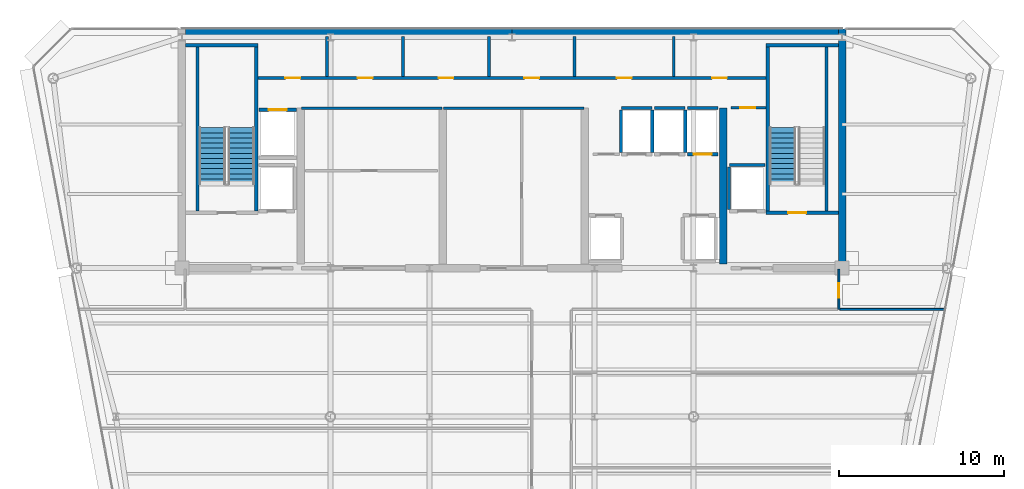
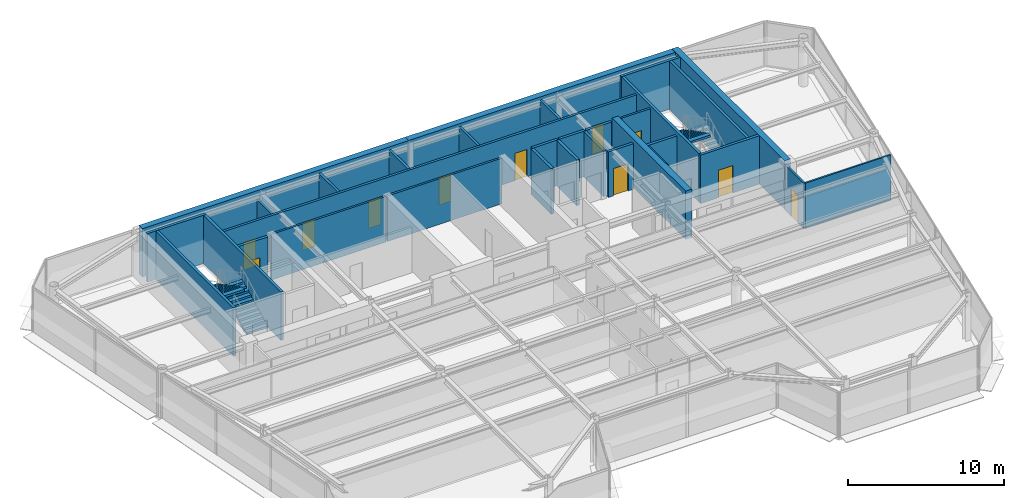
# One storey, part 12 of 20: 32 walls, 11 doors, 3 stair flights, 11 openings, 2 elements without a shape of their own.
"""IFC4 building model written with IfcOpenShell, lengths in metres."""

from ifc_helpers import new_model, si_unit, direction, frame, frame_2d, origin, place, context, subcontext, project, spatial, polyline, rectangle, outline, extrude, source, transform, mapped, material, layer, layer_set, type_object, element, fill, aggregate, save


model = new_model("IFC4")

# Units and contexts
model_context = context("Model", 3, precision=1e-05, world=origin(), true_north=direction((0.0, 1.0)))
body_context = subcontext(model_context, "Body", "Model", "MODEL_VIEW")
ifc_project = project(units=[si_unit("LENGTHUNIT", "METRE"), si_unit("AREAUNIT", "SQUARE_METRE"), si_unit("VOLUMEUNIT", "CUBIC_METRE"), si_unit("PLANEANGLEUNIT", "RADIAN"), si_unit("MASSUNIT", "GRAM", prefix="KILO")], contexts=[model_context])

# Site, building, storey
site_placement = place(None, origin())
site = spatial("IfcSite", under=ifc_project, at=site_placement, CompositionType="ELEMENT")
building_placement = place(site_placement, origin())
building = spatial("IfcBuilding", under=site, at=building_placement, Name="Vaeldorn Concourse Tower", CompositionType="ELEMENT")
storey_placement = place(building_placement, frame((0.0, 0.0, 280.199951171875)))
storey = spatial("IfcBuildingStorey", under=building, at=storey_placement, Name="L72", CompositionType="ELEMENT", Elevation=280.199951171875)

# Walls
ifc_material_1 = material(Name="Concrete C50/60", Category="concrete")
ifc_layer_1 = layer(ifc_material_1, 0.449951171875)
ifc_layer_set_1 = layer_set([ifc_layer_1], Name="Concrete C50/60")
wall_type_1 = type_object("IfcWallType", Name="WL-CORE-450", PredefinedType="SHEAR", material=ifc_layer_set_1)
for number, where, z_axis, x_axis, name in (
    (1, (14.22900390625, 50.77490234375, 0.0), (0.0, 0.0, 1.0), (1.0, 0.0, 0.0), "Rear Core Shear Wall L72 N1"),
    (2, (34.001953125, 50.77490234375, 0.0), (0.0, 0.0, 1.0), (1.0, 0.0, 0.0), "Rear Core Shear Wall L72 N2"),
):
    element("IfcWall", number, at=place(storey_placement, frame(where, z_axis=z_axis, x_axis=x_axis)), inside=storey, type_object=wall_type_1, Name=name, PredefinedType="SHEAR", context=body_context, shape_type="SweptSolid", body=[
        extrude(rectangle(XDim=19.76904296875, YDim=0.449951171875, at=frame_2d((9.884521484375, 0.0))), origin(), (0.0, 0.0, 1.0), 3.800048828125),
    ])
wall_1_placement = place(storey_placement, frame((54.0, 36.5, 0.0), z_axis=(0.0, 0.0, 1.0), x_axis=(0.0, 1.0, 0.0)))
element("IfcWall", 3, at=wall_1_placement, inside=storey, type_object=wall_type_1, Name="Rear Core Shear Wall L72 E1", PredefinedType="SHEAR", context=body_context, shape_type="SweptSolid", body=[
    extrude(rectangle(XDim=14.5, YDim=0.449951171875, at=frame_2d((7.25, 0.0))), origin(), (0.0, 0.0, 1.0), 3.800048828125),
])
wall_2_placement = place(storey_placement, frame((46.800048828125, 36.7451171875, 0.0), z_axis=(0.0, 0.0, 1.0), x_axis=(0.0, 1.0, 0.0)))
element("IfcWall", 4, at=wall_2_placement, inside=storey, type_object=wall_type_1, Name="Rear Core Shear Wall L72 M4", PredefinedType="SHEAR", context=body_context, shape_type="SweptSolid", body=[
    extrude(rectangle(XDim=9.454833984375, YDim=0.449951171875, at=frame_2d((4.7275390625, 0.0))), origin(), (0.0, 0.0, 1.0), 3.800048828125),
])

# Wall, opening, door
ifc_material_2 = material(Name="Gypsum Board Partition", Category="gypsum")
ifc_layer_2 = layer(ifc_material_2, 0.1201171875)
ifc_layer_set_2 = layer_set([ifc_layer_2], Name="Gypsum Board Partition")
wall_type_2 = type_object("IfcWallType", Name="WL-PART-120", PredefinedType="PARTITIONING", material=ifc_layer_set_2)
wall_3_placement = place(storey_placement, frame((53.800048828125, 34.0, 0.0), z_axis=(0.0, 0.0, 1.0), x_axis=(0.0, 1.0, 0.0)))
wall_3 = element("IfcWall", 5, at=wall_3_placement, inside=storey, type_object=wall_type_2, Name="Interior Wall PW-L72-C3E", PredefinedType="PARTITIONING", context=body_context, shape_type="SweptSolid", body=[
    extrude(rectangle(XDim=2.43994140625, YDim=0.1201171875, at=frame_2d((1.219970703125, 0.0))), origin(), (0.0, 0.0, 1.0), 3.580078125),
])
opening_1_placement = place(wall_3_placement, frame((0.699951171875, 0.0, 0.0)))
opening_1 = element("IfcOpeningElement", 6, at=opening_1_placement, cuts=wall_3, Name="Opening D-03", PredefinedType="OPENING", context=body_context, shape_type="SweptSolid", body=[
    extrude(rectangle(XDim=0.89990234375, YDim=2.14990234375, at=frame_2d((0.449951171875, 1.074951171875))), frame((0.0, 0.070068359375, 0.0), z_axis=(0.0, -1.0, 0.0), x_axis=(1.0, 0.0, 0.0)), (0.0, 0.0, 1.0), 0.14013671875),
])
ifc_material_3 = material(Name="Acoustic Bronze-Framed Glass Door", Category="glass")
door_type_1 = type_object("IfcDoorType", Name="DR-INT-900", OperationType="NOTDEFINED", PredefinedType="DOOR", material=ifc_material_3)
shared_shape_1 = source(origin(), body_context, "Body", "SweptSolid", [
    extrude(rectangle(XDim=0.89990234375, YDim=2.14990234375, at=frame_2d((0.449951171875, 1.074951171875))), frame((0.0, 0.02490234375, 0.0), z_axis=(0.0, -1.0, 0.0), x_axis=(1.0, 0.0, 0.0)), (0.0, 0.0, 1.0), 0.050048828125),
])
door_1_placement = place(opening_1_placement, origin())
door_1 = element("IfcDoor", 7, at=door_1_placement, inside=storey, type_object=door_type_1, Name="Interior Door DR-L72-Z3NE", OperationType="SINGLE_SWING_RIGHT", OverallHeight=2.14990234375, OverallWidth=0.89990234375, PredefinedType="DOOR", context=body_context, shape_type="MappedRepresentation", body=[
    mapped(shared_shape_1, transform((0.0, 0.0, 0.0), scale=1.0)),
])
fill(opening_1, door_1)

# Walls
wall_4_placement = place(storey_placement, frame((53.860107421875, 34.0, 0.0), z_axis=(0.0, 0.0, 1.0), x_axis=(1.0, 0.0, 0.0)))
element("IfcWall", 8, at=wall_4_placement, inside=storey, type_object=wall_type_2, Name="Interior Wall PW-L72-Z3NEB", PredefinedType="PARTITIONING", context=body_context, shape_type="SweptSolid", body=[
    extrude(rectangle(XDim=6.34423828125, YDim=0.1201171875, at=frame_2d((3.172119140625, 0.0))), origin(), (0.0, 0.0, 1.0), 3.580078125),
])
ifc_layer_3 = layer(ifc_material_2, 0.14990234375)
ifc_layer_set_3 = layer_set([ifc_layer_3], Name="Gypsum Board Partition")
wall_type_3 = type_object("IfcWallType", Name="WL-PART-150", PredefinedType="PARTITIONING", material=ifc_layer_set_3)
for number, where, z_axis, x_axis, name in (
    (9, (21.25, 46.199951171875, 0.0), (0.0, 0.0, 1.0), (1.0, 0.0, 0.0), "Interior Wall CW-L72-R1N"),
    (10, (29.85009765625, 46.199951171875, 0.0), (0.0, 0.0, 1.0), (1.0, 0.0, 0.0), "Interior Wall CW-L72-R2N"),
):
    element("IfcWall", number, at=place(storey_placement, frame(where, z_axis=z_axis, x_axis=x_axis)), inside=storey, type_object=wall_type_3, Name=name, PredefinedType="PARTITIONING", context=body_context, shape_type="SweptSolid", body=[
        extrude(rectangle(XDim=8.5, YDim=0.14990234375, at=frame_2d((4.25, 0.0))), origin(), (0.0, 0.0, 1.0), 3.580078125),
    ])

# Wall, opening, door
wall_5_placement = place(storey_placement, frame((47.280029296875, 46.219970703125, 0.0), z_axis=(0.0, 0.0, 1.0), x_axis=(1.0, 0.0, 0.0)))
wall_5 = element("IfcWall", 11, at=wall_5_placement, inside=storey, type_object=wall_type_3, Name="Interior Wall CW-L72-CRSE-N", PredefinedType="PARTITIONING", context=body_context, shape_type="SweptSolid", body=[
    extrude(rectangle(XDim=2.099853515625, YDim=0.14990234375, at=frame_2d((1.0498046875, 0.0))), origin(), (0.0, 0.0, 1.0), 3.580078125),
])
opening_2_placement = place(wall_5_placement, frame((0.550048828125, 0.0, 0.0)))
opening_2 = element("IfcOpeningElement", 12, at=opening_2_placement, cuts=wall_5, Name="Opening D-02", PredefinedType="OPENING", context=body_context, shape_type="SweptSolid", body=[
    extrude(rectangle(XDim=0.89990234375, YDim=2.10009765625, at=frame_2d((0.449951171875, 1.050048828125))), frame((0.0, 0.0849609375, 0.0), z_axis=(0.0, -1.0, 0.0), x_axis=(1.0, 0.0, 0.0)), (0.0, 0.0, 1.0), 0.169921875),
])
ifc_material_4 = material(Name="Fire-Rated Timber Leaf", Category="wood")
door_type_2 = type_object("IfcDoorType", Name="DR-FD30-900", OperationType="NOTDEFINED", PredefinedType="DOOR", material=ifc_material_4)
shared_shape_2 = source(origin(), body_context, "Body", "SweptSolid", [
    extrude(rectangle(XDim=0.89990234375, YDim=2.10009765625, at=frame_2d((0.449951171875, 1.050048828125))), frame((0.0, 0.02490234375, 0.0), z_axis=(0.0, -1.0, 0.0), x_axis=(1.0, 0.0, 0.0)), (0.0, 0.0, 1.0), 0.050048828125),
])
door_2_placement = place(opening_2_placement, origin())
door_2 = element("IfcDoor", 13, at=door_2_placement, inside=storey, type_object=door_type_2, Name="Interior Door DR-L72-CRSE", OperationType="SINGLE_SWING_RIGHT", OverallHeight=2.10009765625, OverallWidth=0.89990234375, PredefinedType="DOOR", context=body_context, shape_type="MappedRepresentation", body=[
    mapped(shared_shape_2, transform((0.0, 0.0, 0.0), scale=1.0)),
])
fill(opening_2, door_2)

# Wall, openings, doors
ifc_layer_4 = layer(ifc_material_2, 0.179931640625)
ifc_layer_set_4 = layer_set([ifc_layer_4], Name="Gypsum Board Partition")
wall_type_4 = type_object("IfcWallType", Name="WL-PLUMB-180", PredefinedType="PLUMBINGWALL", material=ifc_layer_set_4)
wall_6_placement = place(storey_placement, frame((18.6201171875, 48.02001953125, 0.0), z_axis=(0.0, 0.0, 1.0), x_axis=(1.0, 0.0, 0.0)))
wall_6 = element("IfcWall", 14, at=wall_6_placement, inside=storey, type_object=wall_type_4, Name="Interior Wall CW-L72-NS3", PredefinedType="PLUMBINGWALL", context=body_context, shape_type="SweptSolid", body=[
    extrude(rectangle(XDim=30.759765625, YDim=0.179931640625, at=frame_2d((15.3798828125, 0.0))), origin(), (0.0, 0.0, 1.0), 3.580078125),
])
opening_3_placement = place(wall_6_placement, frame((1.655029296875, 0.0, 0.0)))
opening_3 = element("IfcOpeningElement", 15, at=opening_3_placement, cuts=wall_6, Name="Opening D-03", PredefinedType="OPENING", context=body_context, shape_type="SweptSolid", body=[
    extrude(rectangle(XDim=0.89990234375, YDim=2.14990234375, at=frame_2d((0.449951171875, 1.074951171875))), frame((0.0, 0.10009765625, 0.0), z_axis=(0.0, -1.0, 0.0), x_axis=(1.0, 0.0, 0.0)), (0.0, 0.0, 1.0), 0.199951171875),
])
opening_4_placement = place(wall_6_placement, frame((6.030029296875, 0.0, 0.0)))
opening_4 = element("IfcOpeningElement", 16, at=opening_4_placement, cuts=wall_6, Name="Opening D-03", PredefinedType="OPENING", context=body_context, shape_type="SweptSolid", body=[
    extrude(rectangle(XDim=0.89990234375, YDim=2.14990234375, at=frame_2d((0.449951171875, 1.074951171875))), frame((0.0, 0.10009765625, 0.0), z_axis=(0.0, -1.0, 0.0), x_axis=(1.0, 0.0, 0.0)), (0.0, 0.0, 1.0), 0.199951171875),
])
opening_5_placement = place(wall_6_placement, frame((10.929931640625, 0.0, 0.0)))
opening_5 = element("IfcOpeningElement", 17, at=opening_5_placement, cuts=wall_6, Name="Opening D-03", PredefinedType="OPENING", context=body_context, shape_type="SweptSolid", body=[
    extrude(rectangle(XDim=0.89990234375, YDim=2.14990234375, at=frame_2d((0.449951171875, 1.074951171875))), frame((0.0, 0.10009765625, 0.0), z_axis=(0.0, -1.0, 0.0), x_axis=(1.0, 0.0, 0.0)), (0.0, 0.0, 1.0), 0.199951171875),
])
opening_6_placement = place(wall_6_placement, frame((16.1298828125, 0.0, 0.0)))
opening_6 = element("IfcOpeningElement", 18, at=opening_6_placement, cuts=wall_6, Name="Opening D-03", PredefinedType="OPENING", context=body_context, shape_type="SweptSolid", body=[
    extrude(rectangle(XDim=0.89990234375, YDim=2.14990234375, at=frame_2d((0.449951171875, 1.074951171875))), frame((0.0, 0.10009765625, 0.0), z_axis=(0.0, -1.0, 0.0), x_axis=(1.0, 0.0, 0.0)), (0.0, 0.0, 1.0), 0.199951171875),
])
opening_7_placement = place(wall_6_placement, frame((21.72998046875, 0.0, 0.0)))
opening_7 = element("IfcOpeningElement", 19, at=opening_7_placement, cuts=wall_6, Name="Opening D-03", PredefinedType="OPENING", context=body_context, shape_type="SweptSolid", body=[
    extrude(rectangle(XDim=0.89990234375, YDim=2.14990234375, at=frame_2d((0.449951171875, 1.074951171875))), frame((0.0, 0.10009765625, 0.0), z_axis=(0.0, -1.0, 0.0), x_axis=(1.0, 0.0, 0.0)), (0.0, 0.0, 1.0), 0.199951171875),
])
opening_8_placement = place(wall_6_placement, frame((27.5048828125, 0.0, 0.0)))
opening_8 = element("IfcOpeningElement", 20, at=opening_8_placement, cuts=wall_6, Name="Opening D-03", PredefinedType="OPENING", context=body_context, shape_type="SweptSolid", body=[
    extrude(rectangle(XDim=0.89990234375, YDim=2.14990234375, at=frame_2d((0.449951171875, 1.074951171875))), frame((0.0, 0.10009765625, 0.0), z_axis=(0.0, -1.0, 0.0), x_axis=(1.0, 0.0, 0.0)), (0.0, 0.0, 1.0), 0.199951171875),
])
door_3_placement = place(opening_3_placement, origin())
door_3 = element("IfcDoor", 21, at=door_3_placement, inside=storey, type_object=door_type_1, Name="Interior Door DR-L72-CS1", OperationType="SINGLE_SWING_LEFT", OverallHeight=2.14990234375, OverallWidth=0.89990234375, PredefinedType="DOOR", context=body_context, shape_type="MappedRepresentation", body=[
    mapped(shared_shape_1, transform((0.0, 0.0, 0.0), scale=1.0)),
])
fill(opening_3, door_3)
door_4_placement = place(opening_4_placement, origin())
door_4 = element("IfcDoor", 22, at=door_4_placement, inside=storey, type_object=door_type_1, Name="Interior Door DR-L72-CS2", OperationType="SINGLE_SWING_RIGHT", OverallHeight=2.14990234375, OverallWidth=0.89990234375, PredefinedType="DOOR", context=body_context, shape_type="MappedRepresentation", body=[
    mapped(shared_shape_1, transform((0.0, 0.0, 0.0), scale=1.0)),
])
fill(opening_4, door_4)
door_5_placement = place(opening_5_placement, origin())
door_5 = element("IfcDoor", 23, at=door_5_placement, inside=storey, type_object=door_type_1, Name="Interior Door DR-L72-CS3", OperationType="SINGLE_SWING_LEFT", OverallHeight=2.14990234375, OverallWidth=0.89990234375, PredefinedType="DOOR", context=body_context, shape_type="MappedRepresentation", body=[
    mapped(shared_shape_1, transform((0.0, 0.0, 0.0), scale=1.0)),
])
fill(opening_5, door_5)
door_6_placement = place(opening_6_placement, origin())
door_6 = element("IfcDoor", 24, at=door_6_placement, inside=storey, type_object=door_type_1, Name="Interior Door DR-L72-CS4", OperationType="SINGLE_SWING_RIGHT", OverallHeight=2.14990234375, OverallWidth=0.89990234375, PredefinedType="DOOR", context=body_context, shape_type="MappedRepresentation", body=[
    mapped(shared_shape_1, transform((0.0, 0.0, 0.0), scale=1.0)),
])
fill(opening_6, door_6)
door_7_placement = place(opening_7_placement, origin())
door_7 = element("IfcDoor", 25, at=door_7_placement, inside=storey, type_object=door_type_1, Name="Interior Door DR-L72-CS5", OperationType="SINGLE_SWING_LEFT", OverallHeight=2.14990234375, OverallWidth=0.89990234375, PredefinedType="DOOR", context=body_context, shape_type="MappedRepresentation", body=[
    mapped(shared_shape_1, transform((0.0, 0.0, 0.0), scale=1.0)),
])
fill(opening_7, door_7)
door_8_placement = place(opening_8_placement, origin())
door_8 = element("IfcDoor", 26, at=door_8_placement, inside=storey, type_object=door_type_1, Name="Interior Door DR-L72-CS6", OperationType="SINGLE_SWING_RIGHT", OverallHeight=2.14990234375, OverallWidth=0.89990234375, PredefinedType="DOOR", context=body_context, shape_type="MappedRepresentation", body=[
    mapped(shared_shape_1, transform((0.0, 0.0, 0.0), scale=1.0)),
])
fill(opening_8, door_8)

# Walls
wall_7_placement = place(storey_placement, frame((22.800048828125, 48.10009765625, 0.0), z_axis=(0.0, 0.0, 1.0), x_axis=(0.0, 1.0, 0.0)))
element("IfcWall", 27, at=wall_7_placement, inside=storey, type_object=wall_type_4, Name="Interior Wall CW-L72-NDIV1", PredefinedType="PLUMBINGWALL", context=body_context, shape_type="SweptSolid", body=[
    extrude(rectangle(XDim=2.429931640625, YDim=0.179931640625, at=frame_2d((1.21484375, 0.0))), origin(), (0.0, 0.0, 1.0), 3.1201171875),
])
for number, where, z_axis, x_axis, name in (
    (28, (27.39990234375, 48.10009765625, 0.0), (0.0, 0.0, 1.0), (0.0, 1.0, 0.0), "Interior Wall CW-L72-NDIV2"),
    (29, (32.60009765625, 48.10009765625, 0.0), (0.0, 0.0, 1.0), (0.0, 1.0, 0.0), "Interior Wall CW-L72-NDIV3"),
    (30, (37.800048828125, 48.10009765625, 0.0), (0.0, 0.0, 1.0), (0.0, 1.0, 0.0), "Interior Wall CW-L72-NDIV4"),
    (31, (43.800048828125, 48.10009765625, 0.0), (0.0, 0.0, 1.0), (0.0, 1.0, 0.0), "Interior Wall CW-L72-NDIV5"),
):
    element("IfcWall", number, at=place(storey_placement, frame(where, z_axis=z_axis, x_axis=x_axis)), inside=storey, type_object=wall_type_4, Name=name, PredefinedType="PLUMBINGWALL", context=body_context, shape_type="SweptSolid", body=[
        extrude(rectangle(XDim=2.429931640625, YDim=0.179931640625, at=frame_2d((1.21484375, 0.0))), origin(), (0.0, 0.0, 1.0), 3.580078125),
    ])
ifc_layer_5 = layer(ifc_material_1, 0.199951171875)
ifc_layer_set_5 = layer_set([ifc_layer_5], Name="Concrete C50/60")
wall_type_5 = type_object("IfcWallType", Name="WL-SHAFT-200", PredefinedType="SOLIDWALL", material=ifc_layer_set_5)
wall_8_placement = place(storey_placement, frame((14.22509765625, 50.0, 0.0), z_axis=(0.0, 0.0, 1.0), x_axis=(1.0, 0.0, 0.0)))
element("IfcWall", 32, at=wall_8_placement, inside=storey, type_object=wall_type_5, Name="Stair Shaft Wall CW-L72-ST-1-N", PredefinedType="SOLIDWALL", context=body_context, shape_type="SweptSolid", body=[
    extrude(rectangle(XDim=4.375, YDim=0.199951171875, at=frame_2d((2.1875, 0.0))), origin(), (0.0, 0.0, 1.0), 3.800048828125),
])
for number, where, z_axis, x_axis, name in (
    (33, (14.949951171875, 39.9599609375, 0.0), (0.0, 0.0, 1.0), (0.0, 1.0, 0.0), "Stair Shaft Wall CW-L72-ST-1-W"),
    (34, (18.5, 39.9599609375, 0.0), (0.0, 0.0, 1.0), (0.0, 1.0, 0.0), "Stair Shaft Wall CW-L72-ST-1-E"),
):
    element("IfcWall", number, at=place(storey_placement, frame(where, z_axis=z_axis, x_axis=x_axis)), inside=storey, type_object=wall_type_5, Name=name, PredefinedType="SOLIDWALL", context=body_context, shape_type="SweptSolid", body=[
        extrude(rectangle(XDim=9.929931640625, YDim=0.199951171875, at=frame_2d((4.96484375, 0.0))), origin(), (0.0, 0.0, 1.0), 3.800048828125),
    ])

# Wall, opening, door
wall_9_placement = place(storey_placement, frame((49.39990234375, 39.85009765625, 0.0), z_axis=(0.0, 0.0, 1.0), x_axis=(1.0, 0.0, 0.0)))
wall_9 = element("IfcWall", 35, at=wall_9_placement, inside=storey, type_object=wall_type_5, Name="Stair Shaft Wall CW-L72-ST-2-S", PredefinedType="SOLIDWALL", context=body_context, shape_type="SweptSolid", body=[
    extrude(rectangle(XDim=4.375, YDim=0.199951171875, at=frame_2d((2.1875, 0.0))), origin(), (0.0, 0.0, 1.0), 3.800048828125),
])
opening_9_placement = place(wall_9_placement, frame((1.324951171875, 0.0, 0.0)))
opening_9 = element("IfcOpeningElement", 36, at=opening_9_placement, cuts=wall_9, Name="Opening D-01", PredefinedType="OPENING", context=body_context, shape_type="SweptSolid", body=[
    extrude(rectangle(XDim=1.10009765625, YDim=2.14990234375, at=frame_2d((0.550048828125, 1.074951171875))), frame((0.0, 0.10986328125, 0.0), z_axis=(0.0, -1.0, 0.0), x_axis=(1.0, 0.0, 0.0)), (0.0, 0.0, 1.0), 0.219970703125),
])
ifc_material_5 = material(Name="Fire-Rated Timber and Steel Leaf", Category="steel")
door_type_3 = type_object("IfcDoorType", Name="DR-FD60-1100", OperationType="NOTDEFINED", PredefinedType="DOOR", material=ifc_material_5)
shared_shape_3 = source(origin(), body_context, "Body", "SweptSolid", [
    extrude(rectangle(XDim=1.10009765625, YDim=2.14990234375, at=frame_2d((0.550048828125, 1.074951171875))), frame((0.0, 0.02490234375, 0.0), z_axis=(0.0, -1.0, 0.0), x_axis=(1.0, 0.0, 0.0)), (0.0, 0.0, 1.0), 0.050048828125),
])
door_9_placement = place(opening_9_placement, origin())
door_9 = element("IfcDoor", 37, at=door_9_placement, inside=storey, type_object=door_type_3, Name="Interior Door DR-L72-ST-2", OperationType="SINGLE_SWING_RIGHT", OverallHeight=2.14990234375, OverallWidth=1.10009765625, PredefinedType="DOOR", context=body_context, shape_type="MappedRepresentation", body=[
    mapped(shared_shape_3, transform((0.0, 0.0, 0.0), scale=1.0)),
])
fill(opening_9, door_9)

# Walls
wall_10_placement = place(storey_placement, frame((49.39990234375, 50.0, 0.0), z_axis=(0.0, 0.0, 1.0), x_axis=(1.0, 0.0, 0.0)))
element("IfcWall", 38, at=wall_10_placement, inside=storey, type_object=wall_type_5, Name="Stair Shaft Wall CW-L72-ST-2-N", PredefinedType="SOLIDWALL", context=body_context, shape_type="SweptSolid", body=[
    extrude(rectangle(XDim=4.375, YDim=0.199951171875, at=frame_2d((2.1875, 0.0))), origin(), (0.0, 0.0, 1.0), 3.800048828125),
])
for number, where, z_axis, x_axis, name in (
    (39, (49.5, 39.9599609375, 0.0), (0.0, 0.0, 1.0), (0.0, 1.0, 0.0), "Stair Shaft Wall CW-L72-ST-2-W"),
    (40, (53.050048828125, 39.9599609375, 0.0), (0.0, 0.0, 1.0), (0.0, 1.0, 0.0), "Stair Shaft Wall CW-L72-ST-2-E"),
):
    element("IfcWall", number, at=place(storey_placement, frame(where, z_axis=z_axis, x_axis=x_axis)), inside=storey, type_object=wall_type_5, Name=name, PredefinedType="SOLIDWALL", context=body_context, shape_type="SweptSolid", body=[
        extrude(rectangle(XDim=9.929931640625, YDim=0.199951171875, at=frame_2d((4.96484375, 0.0))), origin(), (0.0, 0.0, 1.0), 3.800048828125),
    ])
wall_11_placement = place(storey_placement, frame((40.6201171875, 46.199951171875, 0.0), z_axis=(0.0, 0.0, 1.0), x_axis=(1.0, 0.0, 0.0)))
element("IfcWall", 41, at=wall_11_placement, inside=storey, type_object=wall_type_5, Name="Interior Wall CW-L72-LFB-LF-15", PredefinedType="SOLIDWALL", context=body_context, shape_type="SweptSolid", body=[
    extrude(rectangle(XDim=1.85986328125, YDim=0.199951171875, at=frame_2d((0.929931640625, 0.0))), origin(), (0.0, 0.0, 1.0), 3.580078125),
])
for number, where, z_axis, x_axis, name in (
    (42, (40.60009765625, 43.52001953125, 0.0), (0.0, 0.0, 1.0), (0.0, 1.0, 0.0), "Interior Wall CW-L72-LFW-LF-15"),
    (43, (42.5, 43.52001953125, 0.0), (0.0, 0.0, 1.0), (0.0, 1.0, 0.0), "Interior Wall CW-L72-LFE-LF-15"),
):
    element("IfcWall", number, at=place(storey_placement, frame(where, z_axis=z_axis, x_axis=x_axis)), inside=storey, type_object=wall_type_5, Name=name, PredefinedType="SOLIDWALL", context=body_context, shape_type="SweptSolid", body=[
        extrude(rectangle(XDim=2.56005859375, YDim=0.199951171875, at=frame_2d((1.280029296875, 0.0))), origin(), (0.0, 0.0, 1.0), 3.580078125),
    ])
wall_12_placement = place(storey_placement, frame((42.6201171875, 46.199951171875, 0.0), z_axis=(0.0, 0.0, 1.0), x_axis=(1.0, 0.0, 0.0)))
element("IfcWall", 44, at=wall_12_placement, inside=storey, type_object=wall_type_5, Name="Interior Wall CW-L72-LFB-LF-16", PredefinedType="SOLIDWALL", context=body_context, shape_type="SweptSolid", body=[
    extrude(rectangle(XDim=1.85986328125, YDim=0.199951171875, at=frame_2d((0.929931640625, 0.0))), origin(), (0.0, 0.0, 1.0), 3.580078125),
])
wall_13_placement = place(storey_placement, frame((44.5, 43.52001953125, 0.0), z_axis=(0.0, 0.0, 1.0), x_axis=(0.0, 1.0, 0.0)))
element("IfcWall", 45, at=wall_13_placement, inside=storey, type_object=wall_type_5, Name="Interior Wall CW-L72-LFE-LF-16", PredefinedType="SOLIDWALL", context=body_context, shape_type="SweptSolid", body=[
    extrude(rectangle(XDim=2.56005859375, YDim=0.199951171875, at=frame_2d((1.280029296875, 0.0))), origin(), (0.0, 0.0, 1.0), 3.580078125),
])

# Wall, opening, door
wall_14_placement = place(storey_placement, frame((44.6201171875, 43.39990234375, 0.0), z_axis=(0.0, 0.0, 1.0), x_axis=(1.0, 0.0, 0.0)))
wall_14 = element("IfcWall", 46, at=wall_14_placement, inside=storey, type_object=wall_type_5, Name="Interior Wall CW-L72-LF-LF-17", PredefinedType="SOLIDWALL", context=body_context, shape_type="SweptSolid", body=[
    extrude(rectangle(XDim=1.85986328125, YDim=0.199951171875, at=frame_2d((0.929931640625, 0.0))), origin(), (0.0, 0.0, 1.0), 3.580078125),
])
opening_10_placement = place(wall_14_placement, frame((0.3798828125, 0.0, 0.0)))
opening_10 = element("IfcOpeningElement", 47, at=opening_10_placement, cuts=wall_14, Name="Opening LD-1", PredefinedType="OPENING", context=body_context, shape_type="SweptSolid", body=[
    extrude(rectangle(XDim=1.10009765625, YDim=2.14990234375, at=frame_2d((0.550048828125, 1.074951171875))), frame((0.0, 0.10986328125, 0.0), z_axis=(0.0, -1.0, 0.0), x_axis=(1.0, 0.0, 0.0)), (0.0, 0.0, 1.0), 0.219970703125),
])
ifc_material_6 = material(Name="Anodised Bronze Aluminium", Category="aluminium")
door_type_4 = type_object("IfcDoorType", Name="DR-LIFT-SLIDE-1100", OperationType="DOUBLE_DOOR_SLIDING", PredefinedType="DOOR", material=ifc_material_6)
door_10_placement = place(opening_10_placement, origin())
door_10 = element("IfcDoor", 48, at=door_10_placement, inside=storey, type_object=door_type_4, Name="Lift Landing Door LD-L72-LF-17", OperationType="DOUBLE_DOOR_SLIDING", OverallHeight=2.14990234375, OverallWidth=1.10009765625, PredefinedType="DOOR", context=body_context, shape_type="MappedRepresentation", body=[
    mapped(shared_shape_3, transform((0.0, 0.0, 0.0), scale=1.0)),
])
fill(opening_10, door_10)

# Wall
wall_15_placement = place(storey_placement, frame((44.6201171875, 46.199951171875, 0.0), z_axis=(0.0, 0.0, 1.0), x_axis=(1.0, 0.0, 0.0)))
element("IfcWall", 49, at=wall_15_placement, inside=storey, type_object=wall_type_5, Name="Interior Wall CW-L72-LFB-LF-17", PredefinedType="SOLIDWALL", context=body_context, shape_type="SweptSolid", body=[
    extrude(rectangle(XDim=1.85986328125, YDim=0.199951171875, at=frame_2d((0.929931640625, 0.0))), origin(), (0.0, 0.0, 1.0), 3.580078125),
])

# Wall, opening, door
wall_16_placement = place(storey_placement, frame((18.669921875, 46.10009765625, 0.0), z_axis=(0.0, 0.0, 1.0), x_axis=(1.0, 0.0, 0.0)))
wall_16 = element("IfcWall", 50, at=wall_16_placement, inside=storey, type_object=wall_type_5, Name="Interior Wall CW-L72-LF-LF-SV1", PredefinedType="SOLIDWALL", context=body_context, shape_type="SweptSolid", body=[
    extrude(rectangle(XDim=2.260009765625, YDim=0.199951171875, at=frame_2d((1.1298828125, 0.0))), origin(), (0.0, 0.0, 1.0), 3.580078125),
])
opening_11_placement = place(wall_16_placement, frame((0.580078125, 0.0, 0.0)))
opening_11 = element("IfcOpeningElement", 51, at=opening_11_placement, cuts=wall_16, Name="Opening LD-1", PredefinedType="OPENING", context=body_context, shape_type="SweptSolid", body=[
    extrude(rectangle(XDim=1.10009765625, YDim=2.14990234375, at=frame_2d((0.550048828125, 1.074951171875))), frame((0.0, 0.10986328125, 0.0), z_axis=(0.0, -1.0, 0.0), x_axis=(1.0, 0.0, 0.0)), (0.0, 0.0, 1.0), 0.219970703125),
])
door_11_placement = place(opening_11_placement, origin())
door_11 = element("IfcDoor", 52, at=door_11_placement, inside=storey, type_object=door_type_4, Name="Lift Landing Door LD-L72-LF-SV1", OperationType="DOUBLE_DOOR_SLIDING", OverallHeight=2.14990234375, OverallWidth=1.10009765625, PredefinedType="DOOR", context=body_context, shape_type="MappedRepresentation", body=[
    mapped(shared_shape_3, transform((0.0, 0.0, 0.0), scale=1.0)),
])
fill(opening_11, door_11)

# Walls
wall_17_placement = place(storey_placement, frame((47.169921875, 42.75, 0.0), z_axis=(0.0, 0.0, 1.0), x_axis=(1.0, 0.0, 0.0)))
element("IfcWall", 53, at=wall_17_placement, inside=storey, type_object=wall_type_5, Name="Interior Wall CW-L72-LFB-LF-FF2", PredefinedType="SOLIDWALL", context=body_context, shape_type="SweptSolid", body=[
    extrude(rectangle(XDim=2.16015625, YDim=0.199951171875, at=frame_2d((1.080078125, 0.0))), origin(), (0.0, 0.0, 1.0), 3.580078125),
])
wall_18_placement = place(storey_placement, frame((47.14990234375, 40.070068359375, 0.0), z_axis=(0.0, 0.0, 1.0), x_axis=(0.0, 1.0, 0.0)))
element("IfcWall", 54, at=wall_18_placement, inside=storey, type_object=wall_type_5, Name="Interior Wall CW-L72-LFW-LF-FF2", PredefinedType="SOLIDWALL", context=body_context, shape_type="SweptSolid", body=[
    extrude(rectangle(XDim=2.559814453125, YDim=0.199951171875, at=frame_2d((1.27978515625, 0.0))), origin(), (0.0, 0.0, 1.0), 3.580078125),
])

# Stair, stair flights
ifc_material_7 = material(Name="Precast concrete C40/50", Category="concrete")
stair_type = type_object("IfcStairType", Name="STR-DOG-24x158", PredefinedType="HALF_TURN_STAIR", material=ifc_material_7)
stair_1_placement = place(storey_placement, origin())
stair_1 = element("IfcStair", 55, at=stair_1_placement, inside=storey, type_object=stair_type, Name="L72 West Core Exit Stair ST-1", PredefinedType="HALF_TURN_STAIR")
stair_flight_type = type_object("IfcStairFlightType", Name="STF-STR-12x158", PredefinedType="STRAIGHT", material=ifc_material_7)
stair_flight_1_placement = place(storey_placement, frame((17.60009765625, 41.60009765625, 0.0), z_axis=(0.0, 0.0, 1.0), x_axis=(0.0, 1.0, 0.0)))
stair_flight_1 = element("IfcStairFlight", 56, at=stair_flight_1_placement, type_object=stair_flight_type, Name="ST-1 flight 1", NumberOfRisers=12, NumberOfTreads=11, PredefinedType="STRAIGHT", RiserHeight=0.158333333, TreadLength=0.31, context=body_context, shape_type="SweptSolid", body=[
    extrude(outline(polyline([(0.0, 0.0), (0.0, 0.158447265625), (0.31005859375, 0.158447265625), (0.31005859375, 0.316650390625), (0.6201171875, 0.316650390625), (0.6201171875, 0.47509765625), (0.929931640625, 0.47509765625), (0.929931640625, 0.63330078125), (1.239990234375, 0.63330078125), (1.239990234375, 0.791748046875), (1.550048828125, 0.791748046875), (1.550048828125, 0.949951171875), (1.860107421875, 0.949951171875), (1.860107421875, 1.1083984375), (2.169921875, 1.1083984375), (2.169921875, 1.2666015625), (2.47998046875, 1.2666015625), (2.47998046875, 1.425048828125), (2.7900390625, 1.425048828125), (2.7900390625, 1.583251953125), (3.10009765625, 1.583251953125), (3.10009765625, 1.74169921875), (3.409912109375, 1.74169921875), (3.409912109375, 1.89990234375), (3.409912109375, 1.5732421875), (0.32958984375, 0.0), (0.0, 0.0)])), frame((0.0, 0.800048828125, 0.0), z_axis=(0.0, -1.0, 0.0), x_axis=(1.0, 0.0, 0.0)), (0.0, 0.0, 1.0), 1.60009765625),
])
stair_flight_2_placement = place(storey_placement, frame((15.85009765625, 45.010009765625, 1.900146484375), z_axis=(0.0, 0.0, 1.0), x_axis=(0.0, -1.0, 0.0)))
stair_flight_2 = element("IfcStairFlight", 57, at=stair_flight_2_placement, type_object=stair_flight_type, Name="ST-1 flight 2", NumberOfRisers=12, NumberOfTreads=11, PredefinedType="STRAIGHT", RiserHeight=0.158333333, TreadLength=0.31, context=body_context, shape_type="SweptSolid", body=[
    extrude(outline(polyline([(0.0, 0.0), (0.0, 0.158447265625), (0.31005859375, 0.158447265625), (0.31005859375, 0.316650390625), (0.6201171875, 0.316650390625), (0.6201171875, 0.47509765625), (0.929931640625, 0.47509765625), (0.929931640625, 0.63330078125), (1.239990234375, 0.63330078125), (1.239990234375, 0.791748046875), (1.550048828125, 0.791748046875), (1.550048828125, 0.949951171875), (1.860107421875, 0.949951171875), (1.860107421875, 1.1083984375), (2.169921875, 1.1083984375), (2.169921875, 1.2666015625), (2.47998046875, 1.2666015625), (2.47998046875, 1.425048828125), (2.7900390625, 1.425048828125), (2.7900390625, 1.583251953125), (3.10009765625, 1.583251953125), (3.10009765625, 1.74169921875), (3.409912109375, 1.74169921875), (3.409912109375, 1.89990234375), (3.409912109375, 1.5732421875), (0.32958984375, 0.0), (0.0, 0.0)])), frame((0.0, 0.800048828125, 0.0), z_axis=(0.0, -1.0, 0.0), x_axis=(1.0, 0.0, 0.0)), (0.0, 0.0, 1.0), 1.60009765625),
])
aggregate(stair_1, [stair_flight_1, stair_flight_2])

# Stair, stair flight
stair_2_placement = place(storey_placement, origin())
stair_2 = element("IfcStair", 58, at=stair_2_placement, inside=storey, type_object=stair_type, Name="L72 East Core Exit Stair ST-2", PredefinedType="HALF_TURN_STAIR")
stair_flight_3_placement = place(storey_placement, frame((50.39990234375, 45.010009765625, 1.900146484375), z_axis=(0.0, 0.0, 1.0), x_axis=(0.0, -1.0, 0.0)))
stair_flight_3 = element("IfcStairFlight", 59, at=stair_flight_3_placement, type_object=stair_flight_type, Name="ST-2 flight 2", NumberOfRisers=12, NumberOfTreads=11, PredefinedType="STRAIGHT", RiserHeight=0.158333333, TreadLength=0.31, context=body_context, shape_type="SweptSolid", body=[
    extrude(outline(polyline([(0.0, 0.0), (0.0, 0.158447265625), (0.31005859375, 0.158447265625), (0.31005859375, 0.316650390625), (0.6201171875, 0.316650390625), (0.6201171875, 0.47509765625), (0.929931640625, 0.47509765625), (0.929931640625, 0.63330078125), (1.239990234375, 0.63330078125), (1.239990234375, 0.791748046875), (1.550048828125, 0.791748046875), (1.550048828125, 0.949951171875), (1.860107421875, 0.949951171875), (1.860107421875, 1.1083984375), (2.169921875, 1.1083984375), (2.169921875, 1.2666015625), (2.47998046875, 1.2666015625), (2.47998046875, 1.425048828125), (2.7900390625, 1.425048828125), (2.7900390625, 1.583251953125), (3.10009765625, 1.583251953125), (3.10009765625, 1.74169921875), (3.409912109375, 1.74169921875), (3.409912109375, 1.89990234375), (3.409912109375, 1.5732421875), (0.32958984375, 0.0), (0.0, 0.0)])), frame((0.0, 0.800048828125, 0.0), z_axis=(0.0, -1.0, 0.0), x_axis=(1.0, 0.0, 0.0)), (0.0, 0.0, 1.0), 1.60009765625),
])
aggregate(stair_2, [stair_flight_3])

save(model, "model.ifc")
